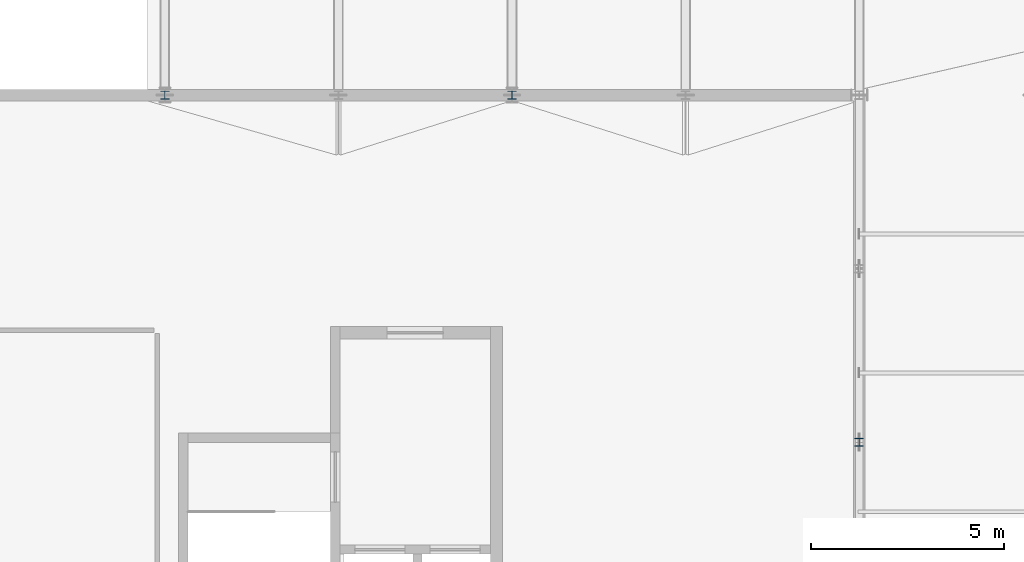
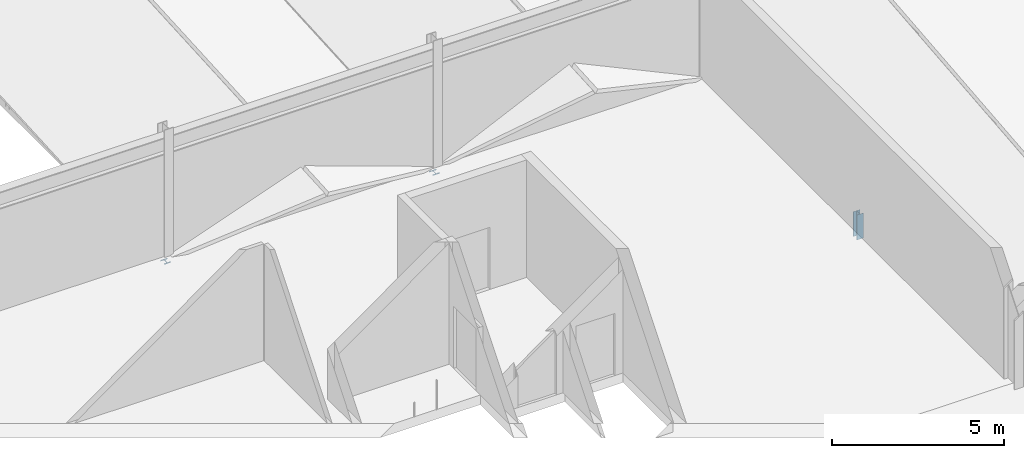
# One storey, part 94 of 142: 3 members.
"""IFC4 building model written with IfcOpenShell, lengths in metres."""

from ifc_helpers import new_model, si_unit, direction, frame, origin, origin_2d, place, context, subcontext, project, spatial, i_section, extrude, material, material_profile, profile_set, type_object, element, save


model = new_model("IFC4")

# Units and contexts
model_context = context("Model", 3, precision=1e-05, world=origin(), true_north=direction((0.0, 1.0)))
body_context = subcontext(model_context, "Body", "Model", "MODEL_VIEW")
ifc_project = project(units=[si_unit("LENGTHUNIT", "METRE"), si_unit("AREAUNIT", "SQUARE_METRE"), si_unit("VOLUMEUNIT", "CUBIC_METRE"), si_unit("PLANEANGLEUNIT", "RADIAN"), si_unit("MASSUNIT", "GRAM", prefix="KILO")], contexts=[model_context])

# Site, building, storey
site_placement = place(None, origin())
site = spatial("IfcSite", under=ifc_project, at=site_placement, CompositionType="ELEMENT")
building_placement = place(site_placement, origin())
building = spatial("IfcBuilding", under=site, at=building_placement, Name="Montelvaro Courts of Justice", CompositionType="ELEMENT")
storey_placement = place(building_placement, frame((0.0, 0.0, 14.39990234375)))
storey = spatial("IfcBuildingStorey", under=building, at=storey_placement, Name="L03", CompositionType="ELEMENT", Elevation=14.39990234375)

# Members
ifc_material = material(Name="Steel S355", Category="steel")
ifc_material_profile = material_profile(ifc_material, i_section(OverallWidth=0.219970703125, OverallDepth=0.2099609375, WebThickness=0.007080078125, FlangeThickness=0.010986328125, at=origin_2d()), Name="HEA 220")
ifc_profile_set = profile_set([ifc_material_profile], Name="Steel S355")
member_type = type_object("IfcMemberType", Name="Mem_HEA220_Post", PredefinedType="POST", material=ifc_profile_set)
for number, where, z_axis, x_axis, name in (
    (1, (54.0, 42.0, -0.2998046875), (0.0, 0.0, -1.0), (1.0, 0.0, 0.0), "Roof Truss Post MP-03 ROOF-PASSAGE-VTR01-V0"),
    (2, (63.0, 42.0, -0.2998046875), (0.0, 0.0, -1.0), (1.0, 0.0, 0.0), "Roof Truss Post MP-03 ROOF-PASSAGE-VTR02-V0"),
):
    element("IfcMember", number, at=place(storey_placement, frame(where, z_axis=z_axis, x_axis=x_axis)), inside=storey, type_object=member_type, Name=name, PredefinedType="POST", context=body_context, shape_type="SweptSolid", body=[
        extrude(i_section(OverallWidth=0.219970703125, OverallDepth=0.2099609375, WebThickness=0.007080078125, FlangeThickness=0.010986328125, at=origin_2d()), origin(), (0.0, 0.0, 1.0), 0.02001953125),
    ])
member_placement = place(storey_placement, frame((72.0, 33.0, -0.2998046875), z_axis=(0.0, 0.0, 1.0), x_axis=(1.0, 0.0, 0.0)))
element("IfcMember", 3, at=member_placement, inside=storey, type_object=member_type, Name="Roof Truss Post MP-03 ROOF-PASSAGE-S-VTR01-V2", PredefinedType="POST", context=body_context, shape_type="SweptSolid", body=[
    extrude(i_section(OverallWidth=0.219970703125, OverallDepth=0.2099609375, WebThickness=0.007080078125, FlangeThickness=0.010986328125, at=origin_2d()), origin(), (0.0, 0.0, 1.0), 0.8798828125),
])

save(model, "model.ifc")
